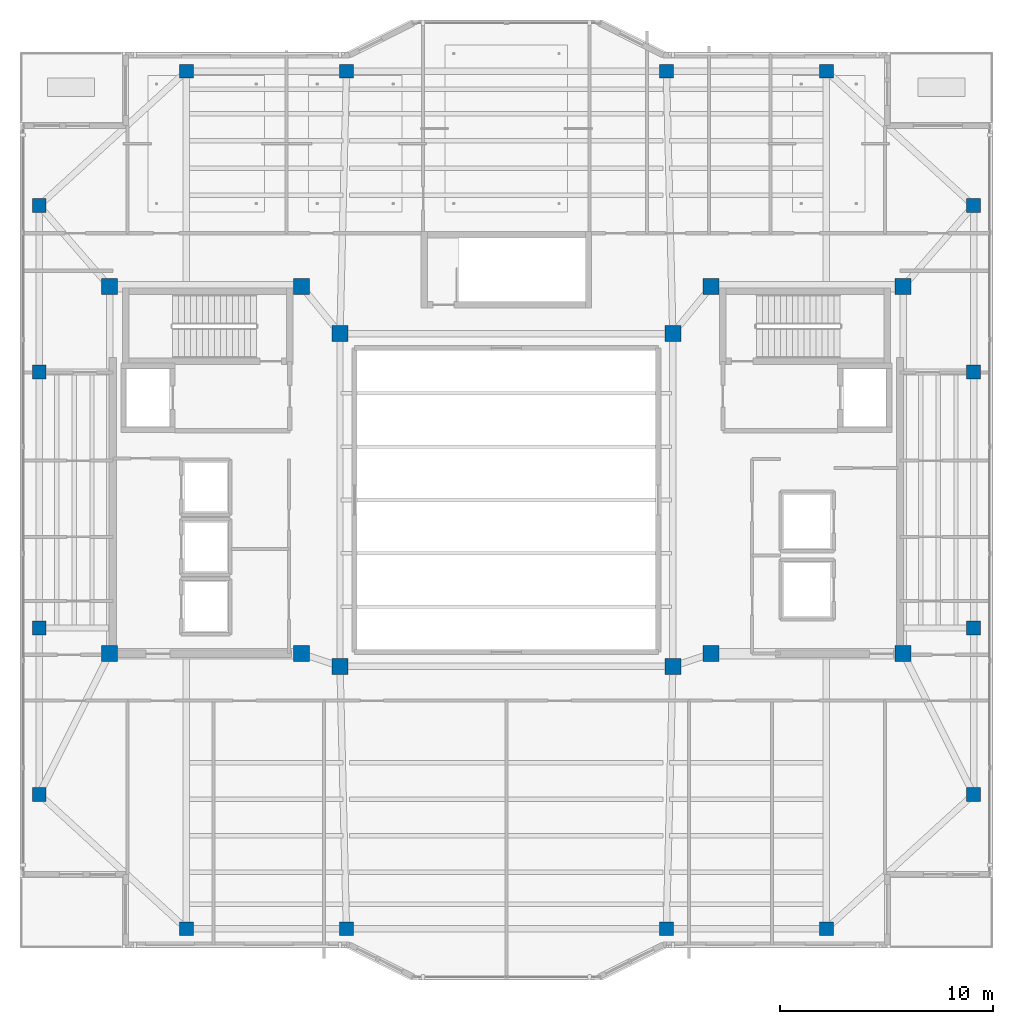
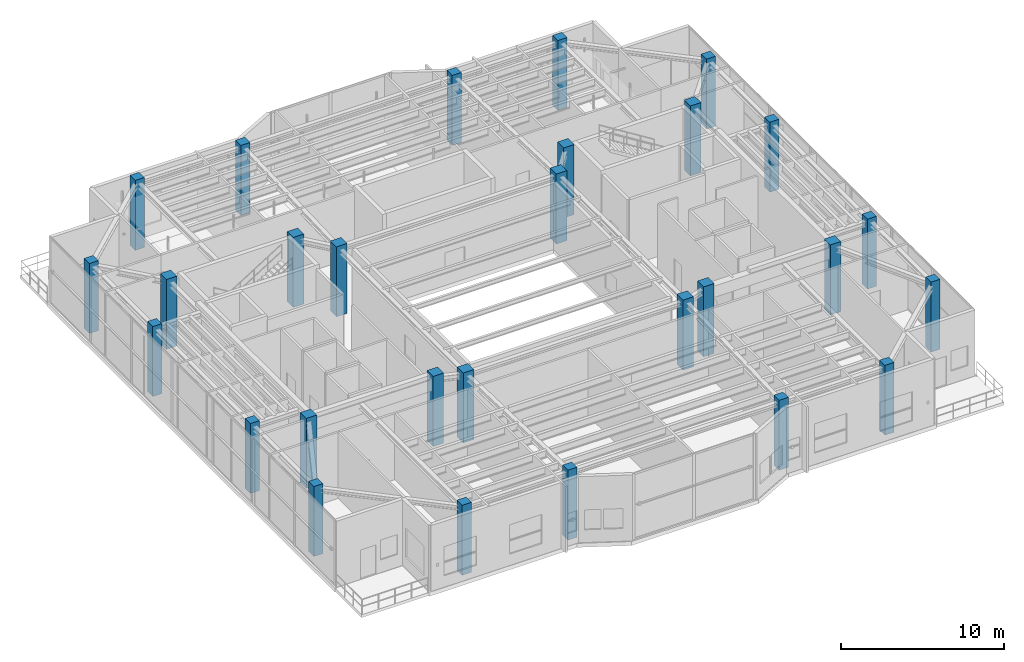
# One storey, part 1 of 23: 28 columns.
"""IFC4 building model written with IfcOpenShell, lengths in metres."""

from ifc_helpers import new_model, si_unit, direction, frame, origin, origin_2d, place, context, subcontext, project, spatial, rectangle, extrude, material, material_profile, profile_set, type_object, element, save


model = new_model("IFC4")

# Units and contexts
model_context = context("Model", 3, precision=1e-05, world=origin(), true_north=direction((0.0, 1.0)))
body_context = subcontext(model_context, "Body", "Model", "MODEL_VIEW")
ifc_project = project(units=[si_unit("LENGTHUNIT", "METRE"), si_unit("AREAUNIT", "SQUARE_METRE"), si_unit("VOLUMEUNIT", "CUBIC_METRE"), si_unit("PLANEANGLEUNIT", "RADIAN"), si_unit("MASSUNIT", "GRAM", prefix="KILO")], contexts=[model_context])

# Site, building, storey
site_placement = place(None, origin())
site = spatial("IfcSite", under=ifc_project, at=site_placement, CompositionType="ELEMENT")
building_placement = place(site_placement, origin())
building = spatial("IfcBuilding", under=site, at=building_placement, Name="Tarnavaz Court Tower", CompositionType="ELEMENT")
storey_placement = place(building_placement, frame((0.0, 0.0, 276.300048828125)))
storey = spatial("IfcBuildingStorey", under=building, at=storey_placement, Name="L75", CompositionType="ELEMENT", Elevation=276.300048828125)

# Columns
ifc_material = material(Name="Concrete C50/60", Category="concrete")
ifc_material_profile_1 = material_profile(ifc_material, rectangle(XDim=0.64990234375, YDim=0.64990234375, at=origin_2d()), Name="RC 650X650")
ifc_profile_set_1 = profile_set([ifc_material_profile_1], Name="Concrete C50/60")
column_type_1 = type_object("IfcColumnType", Name="CL-RC650", PredefinedType="COLUMN", material=ifc_profile_set_1)
for number, where, z_axis, x_axis, name in (
    (1, (-15.0, 20.10009765625, 0.0), (0.0, 0.0, 1.0), (1.0, 0.0, 0.0), "L75 Column PN-1"),
    (2, (-7.5, 20.10009765625, 0.0), (0.0, 0.0, 1.0), (1.0, 0.0, 0.0), "L75 Column PN-2"),
    (3, (7.5, 20.10009765625, 0.0), (0.0, 0.0, 1.0), (1.0, 0.0, 0.0), "L75 Column PN-3"),
    (4, (15.0, 20.10009765625, 0.0), (0.0, 0.0, 1.0), (1.0, 0.0, 0.0), "L75 Column PN-4"),
    (5, (-15.0, -20.10009765625, 0.0), (0.0, 0.0, 1.0), (1.0, 0.0, 0.0), "L75 Column PS-1"),
    (6, (-7.5, -20.10009765625, 0.0), (0.0, 0.0, 1.0), (1.0, 0.0, 0.0), "L75 Column PS-2"),
    (7, (7.5, -20.10009765625, 0.0), (0.0, 0.0, 1.0), (1.0, 0.0, 0.0), "L75 Column PS-3"),
    (8, (15.0, -20.10009765625, 0.0), (0.0, 0.0, 1.0), (1.0, 0.0, 0.0), "L75 Column PS-4"),
    (9, (21.89990234375, -13.800048828125, 0.0), (0.0, 0.0, 1.0), (1.0, 0.0, 0.0), "L75 Column PE-1"),
    (10, (21.89990234375, -6.0, 0.0), (0.0, 0.0, 1.0), (1.0, 0.0, 0.0), "L75 Column PE-2"),
    (11, (21.89990234375, 6.0, 0.0), (0.0, 0.0, 1.0), (1.0, 0.0, 0.0), "L75 Column PE-3"),
    (12, (21.89990234375, 13.800048828125, 0.0), (0.0, 0.0, 1.0), (1.0, 0.0, 0.0), "L75 Column PE-4"),
    (13, (-21.89990234375, -13.800048828125, 0.0), (0.0, 0.0, 1.0), (1.0, 0.0, 0.0), "L75 Column PW-1"),
    (14, (-21.89990234375, -6.0, 0.0), (0.0, 0.0, 1.0), (1.0, 0.0, 0.0), "L75 Column PW-2"),
    (15, (-21.89990234375, 6.0, 0.0), (0.0, 0.0, 1.0), (1.0, 0.0, 0.0), "L75 Column PW-3"),
    (16, (-21.89990234375, 13.800048828125, 0.0), (0.0, 0.0, 1.0), (1.0, 0.0, 0.0), "L75 Column PW-4"),
):
    element("IfcColumn", number, at=place(storey_placement, frame(where, z_axis=z_axis, x_axis=x_axis)), inside=storey, type_object=column_type_1, Name=name, PredefinedType="COLUMN", context=body_context, shape_type="SweptSolid", body=[
        extrude(rectangle(XDim=0.64990234375, YDim=0.64990234375, at=origin_2d()), origin(), (0.0, 0.0, 1.0), 5.25),
    ])
ifc_material_profile_2 = material_profile(ifc_material, rectangle(XDim=0.75, YDim=0.75, at=origin_2d()), Name="RC 750X750")
ifc_profile_set_2 = profile_set([ifc_material_profile_2], Name="Concrete C50/60")
column_type_2 = type_object("IfcColumnType", Name="CL-RC750", PredefinedType="COLUMN", material=ifc_profile_set_2)
for number, where, z_axis, x_axis, name in (
    (17, (-7.800048828125, -7.800048828125, 0.0), (0.0, 0.0, 1.0), (1.0, 0.0, 0.0), "L75 Column IW-SW"),
    (18, (7.800048828125, -7.800048828125, 0.0), (0.0, 0.0, 1.0), (1.0, 0.0, 0.0), "L75 Column IW-SE"),
    (19, (-7.800048828125, 7.800048828125, 0.0), (0.0, 0.0, 1.0), (1.0, 0.0, 0.0), "L75 Column IW-NW"),
    (20, (7.800048828125, 7.800048828125, 0.0), (0.0, 0.0, 1.0), (1.0, 0.0, 0.0), "L75 Column IW-NE"),
    (21, (-9.60009765625, -7.199951171875, 0.0), (0.0, 0.0, 1.0), (1.0, 0.0, 0.0), "L75 Column CW-SI"),
    (22, (-9.60009765625, 10.0, 0.0), (0.0, 0.0, 1.0), (1.0, 0.0, 0.0), "L75 Column CW-NI"),
    (23, (9.60009765625, -7.199951171875, 0.0), (0.0, 0.0, 1.0), (1.0, 0.0, 0.0), "L75 Column CE-SI"),
    (24, (9.60009765625, 10.0, 0.0), (0.0, 0.0, 1.0), (1.0, 0.0, 0.0), "L75 Column CE-NI"),
    (25, (-18.60009765625, -7.199951171875, 0.0), (0.0, 0.0, 1.0), (1.0, 0.0, 0.0), "L75 Column CW-SO"),
    (26, (-18.60009765625, 10.0, 0.0), (0.0, 0.0, 1.0), (1.0, 0.0, 0.0), "L75 Column CW-NO"),
    (27, (18.60009765625, -7.199951171875, 0.0), (0.0, 0.0, 1.0), (1.0, 0.0, 0.0), "L75 Column CE-SO"),
    (28, (18.60009765625, 10.0, 0.0), (0.0, 0.0, 1.0), (1.0, 0.0, 0.0), "L75 Column CE-NO"),
):
    element("IfcColumn", number, at=place(storey_placement, frame(where, z_axis=z_axis, x_axis=x_axis)), inside=storey, type_object=column_type_2, Name=name, PredefinedType="COLUMN", context=body_context, shape_type="SweptSolid", body=[
        extrude(rectangle(XDim=0.75, YDim=0.75, at=origin_2d()), origin(), (0.0, 0.0, 1.0), 5.25),
    ])

save(model, "model.ifc")
